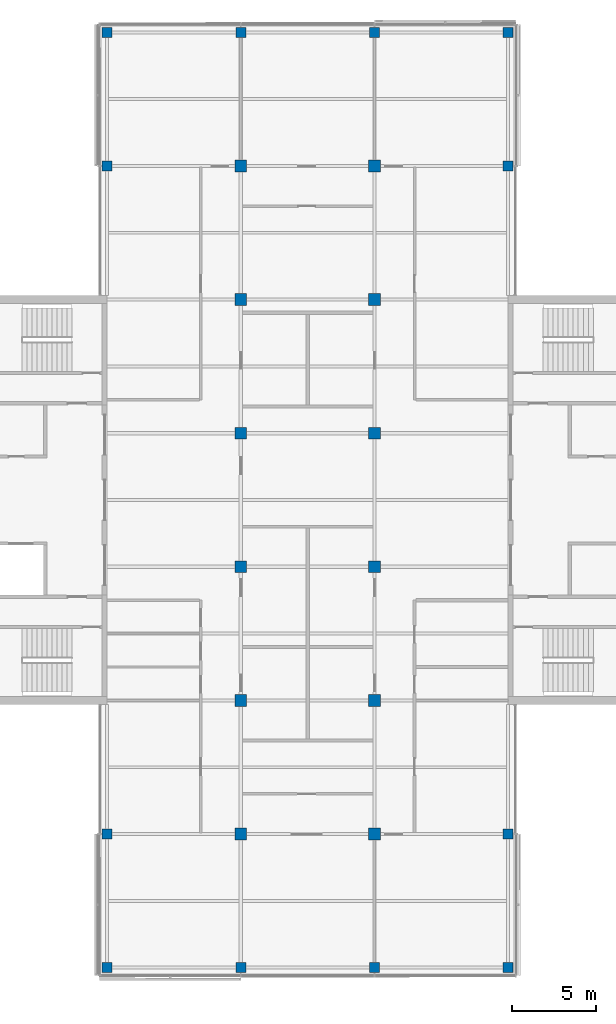
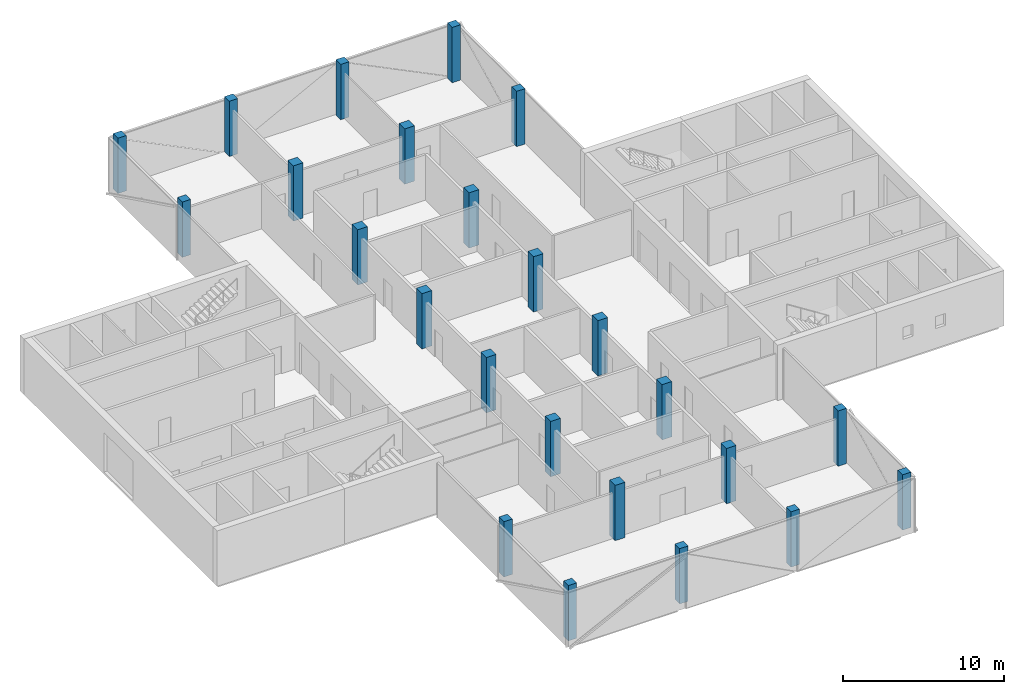
# One storey, part 1 of 16: 24 columns.
"""IFC4 building model written with IfcOpenShell, lengths in metres."""

from ifc_helpers import new_model, si_unit, direction, frame, origin, origin_2d, place, context, subcontext, project, spatial, rectangle, extrude, material, material_profile, profile_set, type_object, element, save


model = new_model("IFC4")

# Units and contexts
model_context = context("Model", 3, precision=1e-05, world=origin(), true_north=direction((0.0, 1.0)))
body_context = subcontext(model_context, "Body", "Model", "MODEL_VIEW")
ifc_project = project(units=[si_unit("LENGTHUNIT", "METRE"), si_unit("AREAUNIT", "SQUARE_METRE"), si_unit("VOLUMEUNIT", "CUBIC_METRE"), si_unit("PLANEANGLEUNIT", "RADIAN"), si_unit("MASSUNIT", "GRAM", prefix="KILO")], contexts=[model_context])

# Site, building, storey
site_placement = place(None, origin())
site = spatial("IfcSite", under=ifc_project, at=site_placement, CompositionType="ELEMENT")
building_placement = place(site_placement, origin())
building = spatial("IfcBuilding", under=site, at=building_placement, Name="Crosswind Convention Tower", CompositionType="ELEMENT")
storey_placement = place(building_placement, frame((0.0, 0.0, 291.300048828125)))
storey = spatial("IfcBuildingStorey", under=building, at=storey_placement, Name="L63", CompositionType="ELEMENT", Elevation=291.300048828125)

# Columns
ifc_material = material(Name="Concrete C60/75", Category="concrete")
ifc_material_profile_1 = material_profile(ifc_material, rectangle(XDim=0.60009765625, YDim=0.60009765625, at=origin_2d()), Name="RC 600X600")
ifc_profile_set_1 = profile_set([ifc_material_profile_1], Name="Concrete C60/75")
column_type_1 = type_object("IfcColumnType", Name="Column RC 600X600", PredefinedType="COLUMN", material=ifc_profile_set_1)
for number, where, z_axis, x_axis, name in (
    (1, (113.0, 72.0, 0.0), (0.0, 0.0, 1.0), (1.0, 0.0, 0.0), "C16 L63 5/C"),
    (2, (113.0, 80.0, 0.0), (0.0, 0.0, 1.0), (1.0, 0.0, 0.0), "C16 L63 5/D"),
    (3, (113.0, 120.0, 0.0), (0.0, 0.0, 1.0), (1.0, 0.0, 0.0), "C16 L63 5/I"),
    (4, (113.0, 128.0, 0.0), (0.0, 0.0, 1.0), (1.0, 0.0, 0.0), "C16 L63 5/J"),
    (5, (121.0, 72.0, 0.0), (0.0, 0.0, 1.0), (1.0, 0.0, 0.0), "C16 L63 6/C"),
    (6, (121.0, 128.0, 0.0), (0.0, 0.0, 1.0), (1.0, 0.0, 0.0), "C16 L63 6/J"),
    (7, (129.0, 72.0, 0.0), (0.0, 0.0, 1.0), (1.0, 0.0, 0.0), "C16 L63 7/C"),
    (8, (129.0, 128.0, 0.0), (0.0, 0.0, 1.0), (1.0, 0.0, 0.0), "C16 L63 7/J"),
    (9, (137.0, 72.0, 0.0), (0.0, 0.0, 1.0), (1.0, 0.0, 0.0), "C16 L63 8/C"),
    (10, (137.0, 80.0, 0.0), (0.0, 0.0, 1.0), (1.0, 0.0, 0.0), "C16 L63 8/D"),
    (11, (137.0, 120.0, 0.0), (0.0, 0.0, 1.0), (1.0, 0.0, 0.0), "C16 L63 8/I"),
    (12, (137.0, 128.0, 0.0), (0.0, 0.0, 1.0), (1.0, 0.0, 0.0), "C16 L63 8/J"),
):
    element("IfcColumn", number, at=place(storey_placement, frame(where, z_axis=z_axis, x_axis=x_axis)), inside=storey, type_object=column_type_1, Name=name, PredefinedType="COLUMN", context=body_context, shape_type="SweptSolid", body=[
        extrude(rectangle(XDim=0.60009765625, YDim=0.60009765625, at=origin_2d()), origin(), (0.0, 0.0, 1.0), 4.199951171875),
    ])
ifc_material_profile_2 = material_profile(ifc_material, rectangle(XDim=0.699951171875, YDim=0.699951171875, at=origin_2d()), Name="RC 700X700")
ifc_profile_set_2 = profile_set([ifc_material_profile_2], Name="Concrete C60/75")
column_type_2 = type_object("IfcColumnType", Name="Column RC 700X700", PredefinedType="COLUMN", material=ifc_profile_set_2)
for number, where, z_axis, x_axis, name in (
    (13, (121.0, 80.0, 0.0), (0.0, 0.0, 1.0), (1.0, 0.0, 0.0), "C15 L63 6/D"),
    (14, (121.0, 88.0, 0.0), (0.0, 0.0, 1.0), (1.0, 0.0, 0.0), "C15 L63 6/E"),
    (15, (121.0, 96.0, 0.0), (0.0, 0.0, 1.0), (1.0, 0.0, 0.0), "C15 L63 6/F"),
    (16, (121.0, 104.0, 0.0), (0.0, 0.0, 1.0), (1.0, 0.0, 0.0), "C15 L63 6/G"),
    (17, (121.0, 112.0, 0.0), (0.0, 0.0, 1.0), (1.0, 0.0, 0.0), "C15 L63 6/H"),
    (18, (121.0, 120.0, 0.0), (0.0, 0.0, 1.0), (1.0, 0.0, 0.0), "C15 L63 6/I"),
    (19, (129.0, 80.0, 0.0), (0.0, 0.0, 1.0), (1.0, 0.0, 0.0), "C15 L63 7/D"),
    (20, (129.0, 88.0, 0.0), (0.0, 0.0, 1.0), (1.0, 0.0, 0.0), "C15 L63 7/E"),
    (21, (129.0, 96.0, 0.0), (0.0, 0.0, 1.0), (1.0, 0.0, 0.0), "C15 L63 7/F"),
    (22, (129.0, 104.0, 0.0), (0.0, 0.0, 1.0), (1.0, 0.0, 0.0), "C15 L63 7/G"),
    (23, (129.0, 112.0, 0.0), (0.0, 0.0, 1.0), (1.0, 0.0, 0.0), "C15 L63 7/H"),
    (24, (129.0, 120.0, 0.0), (0.0, 0.0, 1.0), (1.0, 0.0, 0.0), "C15 L63 7/I"),
):
    element("IfcColumn", number, at=place(storey_placement, frame(where, z_axis=z_axis, x_axis=x_axis)), inside=storey, type_object=column_type_2, Name=name, PredefinedType="COLUMN", context=body_context, shape_type="SweptSolid", body=[
        extrude(rectangle(XDim=0.699951171875, YDim=0.699951171875, at=origin_2d()), origin(), (0.0, 0.0, 1.0), 4.199951171875),
    ])

save(model, "model.ifc")
